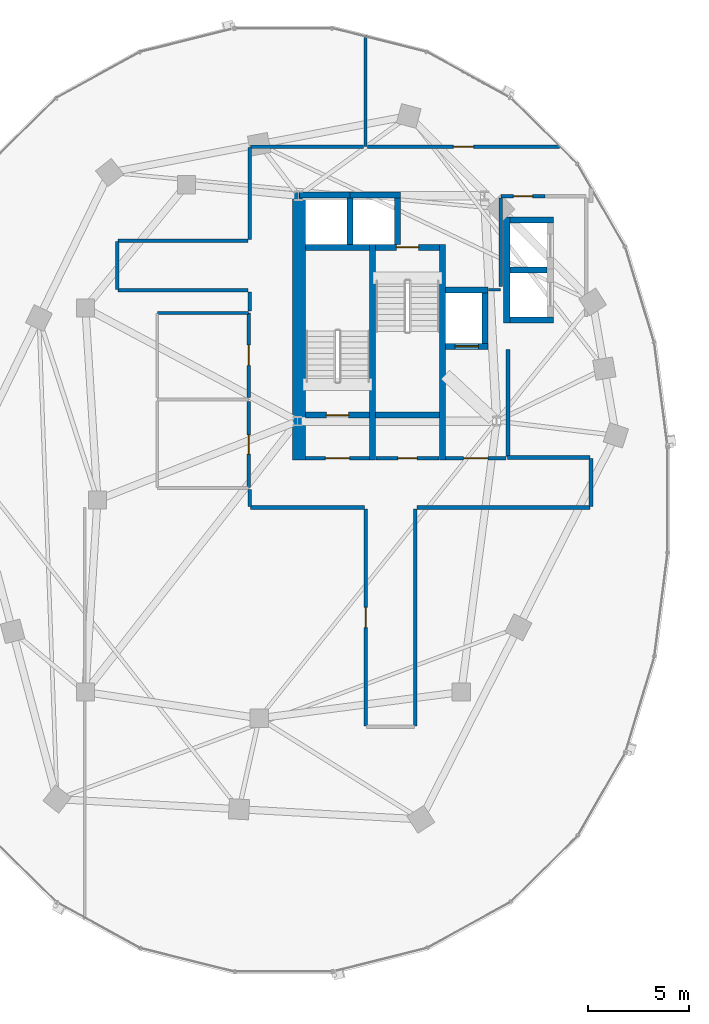
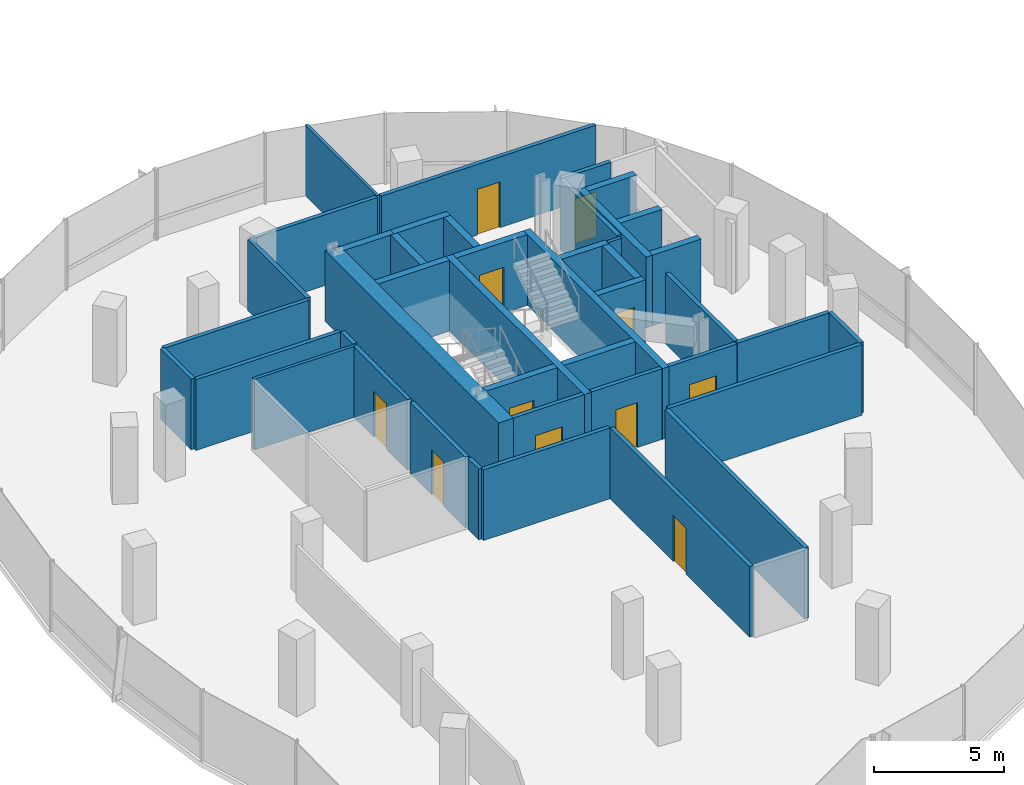
# One storey, part 12 of 21: 43 walls, 11 doors, 11 openings.
"""IFC4 building model written with IfcOpenShell, lengths in metres."""

import ifcopenshell
import ifcopenshell.guid

model = None  # the IFC model being written
_history = None  # IfcOwnerHistory: only IFC2X3 demands one
_inside = {}  # id of a spatial element -> (the spatial element, [elements in it])
_under = {}  # id of a project, library or spatial element -> (it, [spatial elements below it])
_declared = {}  # id of a project -> (the project, [libraries it declares])
_typed = {}  # id of a type object -> (the type object, [elements of that type])
_made_of = {}  # id of a material, layer set ... -> (it, [elements and type objects made of it])


def new_model(schema):
    """Start an empty IFC model of exactly this schema.

    Asked for "IFC4X3", IfcOpenShell would pick the latest addendum, in which some entities
    have other attributes; the version numbers below select the first issue.
    IFC2X3 requires an IfcOwnerHistory on every rooted entity: one is made here for all.
    """
    global model, _history
    if schema == "IFC4X3":
        model = ifcopenshell.file(schema_version=(4, 3, 0, 0))
    else:
        model = ifcopenshell.file(schema=schema)
    _inside.clear()
    _under.clear()
    _declared.clear()
    _typed.clear()
    _made_of.clear()
    _history = None
    if model.schema == "IFC2X3":
        org = make("IfcOrganization", Name="unknown")
        user = make(
            "IfcPersonAndOrganization",
            ThePerson=make("IfcPerson", FamilyName="unknown"),
            TheOrganization=org,
        )
        app = make(
            "IfcApplication",
            ApplicationDeveloper=org,
            Version="unknown",
            ApplicationFullName="unknown",
            ApplicationIdentifier="unknown",
        )
        _history = make(
            "IfcOwnerHistory",
            OwningUser=user,
            OwningApplication=app,
            ChangeAction="ADDED",
            CreationDate=0,
        )
    return model


def make(cls, **values):
    """One entity of the class cls with the attributes given. An attribute that is None is left unset."""
    return model.create_entity(
        cls, **{name: value for name, value in values.items() if value is not None}
    )


def rooted(cls, **values):
    """An entity with a GlobalId (a new one), such as an element, a storey or a relation."""
    return make(cls, GlobalId=ifcopenshell.guid.new(), OwnerHistory=_history, **values)


def si_unit(unit_type, name, prefix=None):
    """IfcSIUnit, for example si_unit("LENGTHUNIT", "METRE", prefix="MILLI")."""
    return make("IfcSIUnit", UnitType=unit_type, Prefix=prefix, Name=name)


def assignment(units):
    """IfcUnitAssignment: the units of a project."""
    return None if units is None else make("IfcUnitAssignment", Units=units)


def point(xyz):
    """IfcCartesianPoint."""
    return None if xyz is None else make("IfcCartesianPoint", Coordinates=xyz)


def direction(xyz):
    """IfcDirection."""
    return None if xyz is None else make("IfcDirection", DirectionRatios=xyz)


def frame(location, z_axis=None, x_axis=None):
    """IfcAxis2Placement3D, a coordinate frame: its origin and axes. An axis left out is left unset."""
    return make(
        "IfcAxis2Placement3D",
        Location=point(location),
        Axis=direction(z_axis),
        RefDirection=direction(x_axis),
    )


def frame_2d(location, x_axis=None):
    """IfcAxis2Placement2D, a coordinate frame in the plane: its origin and x axis."""
    return make(
        "IfcAxis2Placement2D", Location=point(location), RefDirection=direction(x_axis)
    )


def origin():
    """The frame at (0, 0, 0) with its axes left unset."""
    return frame((0.0, 0.0, 0.0))


def place(relative_to, where):
    """IfcLocalPlacement: puts the frame where relative to a parent placement (None: the world)."""
    return make(
        "IfcLocalPlacement", PlacementRelTo=relative_to, RelativePlacement=where
    )


def context(
    kind, dimensions, precision=None, world=None, true_north=None, identifier=None
):
    """IfcGeometricRepresentationContext, for example the 3D "Model" context."""
    return make(
        "IfcGeometricRepresentationContext",
        ContextIdentifier=identifier,
        ContextType=kind,
        CoordinateSpaceDimension=dimensions,
        Precision=precision,
        WorldCoordinateSystem=world,
        TrueNorth=true_north,
    )


def subcontext(parent, identifier, kind, view, scale=None):
    """IfcGeometricRepresentationSubContext, for example "Body" below "Model"."""
    return make(
        "IfcGeometricRepresentationSubContext",
        ContextIdentifier=identifier,
        ContextType=kind,
        ParentContext=parent,
        TargetScale=scale,
        TargetView=view,
    )


def project(units=None, contexts=None):
    """IfcProject with its units and contexts."""
    return rooted(
        "IfcProject",
        Name="project",
        RepresentationContexts=contexts,
        UnitsInContext=assignment(units),
    )


def spatial(cls, under=None, at=None, **own):
    """A site, building, storey or space (cls), placed at a placement, below another one or the project."""
    s = rooted(cls, ObjectPlacement=at, **own)
    if under is not None:
        _under.setdefault(under.id(), (under, []))[1].append(s)
    return s


def profile(cls, at=None, kind="AREA", **sizes):
    """A parametric profile (cls). Its sizes go by their IFC names, for example OverallWidth=200.0."""
    return make(cls, ProfileType=kind, Position=at, **sizes)


def rectangle(**sizes):
    """IfcRectangleProfileDef."""
    return profile("IfcRectangleProfileDef", **sizes)


def extrude(swept, where, along, depth):
    """IfcExtrudedAreaSolid: the profile swept, set in the frame where, extruded along a direction by depth."""
    return make(
        "IfcExtrudedAreaSolid",
        SweptArea=swept,
        Position=where,
        ExtrudedDirection=direction(along),
        Depth=depth,
    )


def shape(context_of_items, identifier, shape_type, items):
    """IfcShapeRepresentation: the items that make up one representation, for example the "Body"."""
    return make(
        "IfcShapeRepresentation",
        ContextOfItems=context_of_items,
        RepresentationIdentifier=identifier,
        RepresentationType=shape_type,
        Items=items,
    )


def material(Name=None, Category=None):
    """IfcMaterial."""
    return make("IfcMaterial", Name=Name, Category=Category)


def layer(
    of_material, thickness, ventilated=None, Name=None, Category=None, Priority=None
):
    """IfcMaterialLayer: one layer of a wall or slab, of a material (None: an air gap)."""
    return make(
        "IfcMaterialLayer",
        Material=of_material,
        LayerThickness=thickness,
        IsVentilated=ventilated,
        Name=Name,
        Category=Category,
        Priority=Priority,
    )


def layer_set(layers, Name=None):
    """IfcMaterialLayerSet."""
    return make("IfcMaterialLayerSet", MaterialLayers=layers, LayerSetName=Name)


def made_of(thing, what):
    """Note that an element or type object is made of a material, layer set ...; save() writes the relation."""
    if what is not None:
        _made_of.setdefault(what.id(), (what, []))[1].append(thing)
    return thing


def type_object(cls, material=None, **own):
    """A type object (cls), such as IfcWallType, which elements share."""
    return made_of(rooted(cls, **own), material)


def element(
    cls,
    number,
    at=None,
    inside=None,
    cuts=None,
    type_object=None,
    material=None,
    context=None,
    identifier="Body",
    shape_type=None,
    held_by="IfcProductDefinitionShape",
    body=None,
    shapes=None,
    **own,
):
    """One element of the class cls, such as IfcWall. Its Tag is "e" and its number.

    at: its placement. inside: the storey or other place that contains it. cuts: it is an
    opening in that element (IfcRelVoidsElement). A single representation is given by context,
    identifier, shape_type and body (its items); several are given by shapes. held_by: the class
    of the entity that holds the representations. save() writes the other relations.
    """
    e = rooted(cls, Tag="e%d" % number, ObjectPlacement=at, **own)
    if body is not None:
        shapes = [shape(context, identifier, shape_type, body)]
    if shapes is not None:
        e.Representation = make(held_by, Representations=shapes)
    if inside is not None:
        _inside.setdefault(inside.id(), (inside, []))[1].append(e)
    if cuts is not None:
        rooted(
            "IfcRelVoidsElement", RelatingBuildingElement=cuts, RelatedOpeningElement=e
        )
    if type_object is not None:
        _typed.setdefault(type_object.id(), (type_object, []))[1].append(e)
    return made_of(e, material)


def fill(opening, filler):
    """IfcRelFillsElement: the door or window that sits in an opening."""
    return rooted(
        "IfcRelFillsElement",
        RelatingOpeningElement=opening,
        RelatedBuildingElement=filler,
    )


def aggregate(whole, parts):
    """IfcRelAggregates: a whole, such as a stair, and the parts it consists of."""
    return rooted("IfcRelAggregates", RelatingObject=whole, RelatedObjects=parts)


def save(model, path):
    """Write the relations noted so far, then the file.

    IfcRelAggregates (storeys below a building ...), IfcRelContainedInSpatialStructure (elements
    in a storey), IfcRelDefinesByType, IfcRelAssociatesMaterial and IfcRelDeclares: one each for
    every whole, place, type object, material and project.
    """
    for whole, parts in _under.values():
        aggregate(whole, parts)
    for where, things in _inside.values():
        rooted(
            "IfcRelContainedInSpatialStructure",
            RelatedElements=things,
            RelatingStructure=where,
        )
    for kind, things in _typed.values():
        rooted("IfcRelDefinesByType", RelatedObjects=things, RelatingType=kind)
    for what, things in _made_of.values():
        rooted("IfcRelAssociatesMaterial", RelatedObjects=things, RelatingMaterial=what)
    for by, libraries in _declared.values():
        rooted("IfcRelDeclares", RelatingContext=by, RelatedDefinitions=libraries)
    model.write(path)


model = new_model("IFC4")

# Units and contexts
model_context = context("Model", 3, precision=1e-05, world=origin(), true_north=direction((0.0, 1.0)))
body_context = subcontext(model_context, "Body", "Model", "MODEL_VIEW")
ifc_project = project(units=[si_unit("LENGTHUNIT", "METRE"), si_unit("AREAUNIT", "SQUARE_METRE"), si_unit("VOLUMEUNIT", "CUBIC_METRE"), si_unit("PLANEANGLEUNIT", "RADIAN"), si_unit("MASSUNIT", "GRAM", prefix="KILO"), si_unit("THERMODYNAMICTEMPERATUREUNIT", "KELVIN"), si_unit("POWERUNIT", "WATT")], contexts=[model_context])

# Site, building, storey
site_placement = place(None, origin())
site = spatial("IfcSite", under=ifc_project, at=site_placement, CompositionType="ELEMENT")
building_placement = place(site_placement, origin())
building = spatial("IfcBuilding", under=site, at=building_placement, Name="Cundina Bronze Exchange", CompositionType="ELEMENT")
storey_placement = place(building_placement, frame((0.0, 0.0, 183.60009765625)))
storey = spatial("IfcBuildingStorey", under=building, at=storey_placement, Name="L48", CompositionType="ELEMENT", Elevation=183.60009765625)

# Wall
ifc_material_1 = material(Name="Gypsum Fireboard Partition EI120")
ifc_layer_1 = layer(ifc_material_1, 0.179931640625, Name="Gypsum Fireboard Partition EI120")
ifc_layer_set_1 = layer_set([ifc_layer_1], Name="Gypsum Fireboard Partition EI120")
wall_type_1 = type_object("IfcWallType", Name="WL-COR-180", PredefinedType="PARTITIONING", material=ifc_layer_set_1)
wall_1_placement = place(storey_placement, frame((-20.889892578125, 2.14990234375, 0.0), z_axis=(0.0, 0.0, 1.0), x_axis=(0.0, 1.0, 0.0)))
element("IfcWall", 1, at=wall_1_placement, inside=storey, type_object=wall_type_1, Name="L48 W Firefighting Lobby Side Wall", PredefinedType="PARTITIONING", context=body_context, shape_type="SweptSolid", body=[
    extrude(rectangle(XDim=5.300048828125, YDim=0.179931640625, at=frame_2d((2.64990234375, 0.0))), origin(), (0.0, 0.0, 1.0), 3.31982421875),
])

# Wall, opening, door
wall_2_placement = place(storey_placement, frame((-23.97998046875, 2.06005859375, 0.0), z_axis=(0.0, 0.0, 1.0), x_axis=(1.0, 0.0, 0.0)))
wall_2 = element("IfcWall", 2, at=wall_2_placement, inside=storey, type_object=wall_type_1, Name="L48 W Firefighting Lobby Exit Wall", PredefinedType="PARTITIONING", context=body_context, shape_type="SweptSolid", body=[
    extrude(rectangle(XDim=3.0, YDim=0.179931640625, at=frame_2d((1.5, 0.0))), origin(), (0.0, 0.0, 1.0), 3.31982421875),
])
opening_1_placement = place(wall_2_placement, frame((0.89990234375, 0.0, 0.0)))
opening_1 = element("IfcOpeningElement", 3, at=opening_1_placement, cuts=wall_2, Name="Opening DF-01", PredefinedType="OPENING", context=body_context, shape_type="SweptSolid", body=[
    extrude(rectangle(XDim=1.199951171875, YDim=2.14990234375, at=frame_2d((0.60009765625, 1.074951171875))), frame((0.0, 0.099853515625, 0.0), z_axis=(0.0, -1.0, 0.0), x_axis=(1.0, 0.0, 0.0)), (0.0, 0.0, 1.0), 0.199951171875),
])
ifc_material_2 = material(Name="Steel ASTM A36 Painted", Category="steel")
door_type_1 = type_object("IfcDoorType", Name="DR-FFL-1200", OperationType="NOTDEFINED", PredefinedType="DOOR", material=ifc_material_2)
door_1_placement = place(opening_1_placement, origin())
door_1 = element("IfcDoor", 4, at=door_1_placement, inside=storey, type_object=door_type_1, Name="L48 W Firefighting Lobby Door", OperationType="SINGLE_SWING_RIGHT", OverallHeight=2.14990234375, OverallWidth=1.199951171875, PredefinedType="DOOR", context=body_context, shape_type="SweptSolid", body=[
    extrude(rectangle(XDim=1.199951171875, YDim=2.14990234375, at=frame_2d((0.60009765625, 1.074951171875))), frame((0.0, 0.02490234375, 0.0), z_axis=(0.0, -1.0, 0.0), x_axis=(1.0, 0.0, 0.0)), (0.0, 0.0, 1.0), 0.050048828125),
])
fill(opening_1, door_1)

wall_3_placement = place(storey_placement, frame((-30.89990234375, 2.06005859375, 0.0), z_axis=(0.0, 0.0, 1.0), x_axis=(1.0, 0.0, 0.0)))
wall_3 = element("IfcWall", 5, at=wall_3_placement, inside=storey, type_object=wall_type_1, Name="L48 W Stair Vestibule Exit Wall", PredefinedType="PARTITIONING", context=body_context, shape_type="SweptSolid", body=[
    extrude(rectangle(XDim=3.159912109375, YDim=0.179931640625, at=frame_2d((1.580078125, 0.0))), origin(), (0.0, 0.0, 1.0), 3.31982421875),
])
opening_2_placement = place(wall_3_placement, frame((0.97998046875, 0.0, 0.0)))
opening_2 = element("IfcOpeningElement", 6, at=opening_2_placement, cuts=wall_3, Name="Opening DF-01", PredefinedType="OPENING", context=body_context, shape_type="SweptSolid", body=[
    extrude(rectangle(XDim=1.199951171875, YDim=2.14990234375, at=frame_2d((0.60009765625, 1.074951171875))), frame((0.0, 0.099853515625, 0.0), z_axis=(0.0, -1.0, 0.0), x_axis=(1.0, 0.0, 0.0)), (0.0, 0.0, 1.0), 0.199951171875),
])
door_2_placement = place(opening_2_placement, origin())
door_2 = element("IfcDoor", 7, at=door_2_placement, inside=storey, type_object=door_type_1, Name="L48 W Stair Vestibule Door", OperationType="SINGLE_SWING_LEFT", OverallHeight=2.14990234375, OverallWidth=1.199951171875, PredefinedType="DOOR", context=body_context, shape_type="SweptSolid", body=[
    extrude(rectangle(XDim=1.199951171875, YDim=2.14990234375, at=frame_2d((0.60009765625, 1.074951171875))), frame((0.0, 0.02490234375, 0.0), z_axis=(0.0, -1.0, 0.0), x_axis=(1.0, 0.0, 0.0)), (0.0, 0.0, 1.0), 0.050048828125),
])
fill(opening_2, door_2)

wall_4_placement = place(storey_placement, frame((-21.22998046875, 15.030029296875, 0.0), z_axis=(0.0, 0.0, 1.0), x_axis=(1.0, 0.0, 0.0)))
wall_4 = element("IfcWall", 8, at=wall_4_placement, inside=storey, type_object=wall_type_1, Name="L48 Interior Partition 002", PredefinedType="PARTITIONING", context=body_context, shape_type="SweptSolid", body=[
    extrude(rectangle(XDim=2.159912109375, YDim=0.179931640625, at=frame_2d((1.080078125, 0.0))), origin(), (0.0, 0.0, 1.0), 3.31982421875),
])
opening_3_placement = place(wall_4_placement, frame((0.60498046875, 0.0, 0.0)))
opening_3 = element("IfcOpeningElement", 9, at=opening_3_placement, cuts=wall_4, Name="Opening DW-01", PredefinedType="OPENING", context=body_context, shape_type="SweptSolid", body=[
    extrude(rectangle(XDim=0.949951171875, YDim=2.10009765625, at=frame_2d((0.47509765625, 1.050048828125))), frame((0.0, 0.099853515625, 0.0), z_axis=(0.0, -1.0, 0.0), x_axis=(1.0, 0.0, 0.0)), (0.0, 0.0, 1.0), 0.199951171875),
])
ifc_material_3 = material(Name="Solid Andean Oak Timber Grade A", Category="wood")
door_type_2 = type_object("IfcDoorType", Name="DR-WC-950", OperationType="NOTDEFINED", PredefinedType="DOOR", material=ifc_material_3)
door_3_placement = place(opening_3_placement, origin())
door_3 = element("IfcDoor", 10, at=door_3_placement, inside=storey, type_object=door_type_2, Name="L48 Interior Door 002", OperationType="SINGLE_SWING_LEFT", OverallHeight=2.10009765625, OverallWidth=0.949951171875, PredefinedType="DOOR", context=body_context, shape_type="SweptSolid", body=[
    extrude(rectangle(XDim=0.949951171875, YDim=2.10009765625, at=frame_2d((0.47509765625, 1.050048828125))), frame((0.0, 0.02490234375, 0.0), z_axis=(0.0, -1.0, 0.0), x_axis=(1.0, 0.0, 0.0)), (0.0, 0.0, 1.0), 0.050048828125),
])
fill(opening_3, door_3)

# Wall
wall_5_placement = place(storey_placement, frame((-21.25, 10.570068359375, 0.0), z_axis=(0.0, 0.0, 1.0), x_axis=(0.0, 1.0, 0.0)))
element("IfcWall", 11, at=wall_5_placement, inside=storey, type_object=wall_type_1, Name="L48 Interior Partition 005", PredefinedType="PARTITIONING", context=body_context, shape_type="SweptSolid", body=[
    extrude(rectangle(XDim=4.35986328125, YDim=0.179931640625, at=frame_2d((2.179931640625, 0.0))), origin(), (0.0, 0.0, 1.0), 3.31982421875),
])

# Wall, opening, door
wall_6_placement = place(storey_placement, frame((-27.419921875, 2.070068359375, 0.0), z_axis=(0.0, 0.0, 1.0), x_axis=(1.0, 0.0, 0.0)))
wall_6 = element("IfcWall", 12, at=wall_6_placement, inside=storey, type_object=wall_type_1, Name="L48 Interior Partition 006", PredefinedType="PARTITIONING", context=body_context, shape_type="SweptSolid", body=[
    extrude(rectangle(XDim=3.119873046875, YDim=0.179931640625, at=frame_2d((1.56005859375, 0.0))), origin(), (0.0, 0.0, 1.0), 3.31982421875),
])
opening_4_placement = place(wall_6_placement, frame((1.0849609375, 0.0, 0.0)))
opening_4 = element("IfcOpeningElement", 13, at=opening_4_placement, cuts=wall_6, Name="Opening DW-01", PredefinedType="OPENING", context=body_context, shape_type="SweptSolid", body=[
    extrude(rectangle(XDim=0.949951171875, YDim=2.10009765625, at=frame_2d((0.47509765625, 1.050048828125))), frame((0.0, 0.099853515625, 0.0), z_axis=(0.0, -1.0, 0.0), x_axis=(1.0, 0.0, 0.0)), (0.0, 0.0, 1.0), 0.199951171875),
])
door_4_placement = place(opening_4_placement, origin())
door_4 = element("IfcDoor", 14, at=door_4_placement, inside=storey, type_object=door_type_2, Name="L48 Interior Door 006", OperationType="SINGLE_SWING_LEFT", OverallHeight=2.10009765625, OverallWidth=0.949951171875, PredefinedType="DOOR", context=body_context, shape_type="SweptSolid", body=[
    extrude(rectangle(XDim=0.949951171875, YDim=2.10009765625, at=frame_2d((0.47509765625, 1.050048828125))), frame((0.0, 0.02490234375, 0.0), z_axis=(0.0, -1.0, 0.0), x_axis=(1.0, 0.0, 0.0)), (0.0, 0.0, 1.0), 0.050048828125),
])
fill(opening_4, door_4)

wall_7_placement = place(storey_placement, frame((-33.719970703125, 0.6201171875, 0.0), z_axis=(0.0, 0.0, 1.0), x_axis=(0.0, 1.0, 0.0)))
wall_7 = element("IfcWall", 15, at=wall_7_placement, inside=storey, type_object=wall_type_1, Name="L48 Interior Partition 012", PredefinedType="PARTITIONING", context=body_context, shape_type="SweptSolid", body=[
    extrude(rectangle(XDim=4.259765625, YDim=0.179931640625, at=frame_2d((2.1298828125, 0.0))), origin(), (0.0, 0.0, 1.0), 3.31982421875),
])
opening_5_placement = place(wall_7_placement, frame((1.655029296875, 0.0, 0.0)))
opening_5 = element("IfcOpeningElement", 16, at=opening_5_placement, cuts=wall_7, Name="Opening DW-01", PredefinedType="OPENING", context=body_context, shape_type="SweptSolid", body=[
    extrude(rectangle(XDim=0.949951171875, YDim=2.10009765625, at=frame_2d((0.47509765625, 1.050048828125))), frame((0.0, 0.099853515625, 0.0), z_axis=(0.0, -1.0, 0.0), x_axis=(1.0, 0.0, 0.0)), (0.0, 0.0, 1.0), 0.199951171875),
])
door_5_placement = place(opening_5_placement, origin())
door_5 = element("IfcDoor", 17, at=door_5_placement, inside=storey, type_object=door_type_2, Name="L48 Interior Door 012", OperationType="SINGLE_SWING_LEFT", OverallHeight=2.10009765625, OverallWidth=0.949951171875, PredefinedType="DOOR", context=body_context, shape_type="SweptSolid", body=[
    extrude(rectangle(XDim=0.949951171875, YDim=2.10009765625, at=frame_2d((0.47509765625, 1.050048828125))), frame((0.0, 0.02490234375, 0.0), z_axis=(0.0, -1.0, 0.0), x_axis=(1.0, 0.0, 0.0)), (0.0, 0.0, 1.0), 0.050048828125),
])
fill(opening_5, door_5)

wall_8_placement = place(storey_placement, frame((-33.719970703125, 5.080078125, 0.0), z_axis=(0.0, 0.0, 1.0), x_axis=(0.0, 1.0, 0.0)))
wall_8 = element("IfcWall", 18, at=wall_8_placement, inside=storey, type_object=wall_type_1, Name="L48 Interior Partition 013", PredefinedType="PARTITIONING", context=body_context, shape_type="SweptSolid", body=[
    extrude(rectangle(XDim=4.159912109375, YDim=0.179931640625, at=frame_2d((2.080078125, 0.0))), origin(), (0.0, 0.0, 1.0), 3.31982421875),
])
opening_6_placement = place(wall_8_placement, frame((1.580078125, 0.0, 0.0)))
opening_6 = element("IfcOpeningElement", 19, at=opening_6_placement, cuts=wall_8, Name="Opening DO-01", PredefinedType="OPENING", context=body_context, shape_type="SweptSolid", body=[
    extrude(rectangle(XDim=1.0, YDim=2.14990234375, at=frame_2d((0.5, 1.074951171875))), frame((0.0, 0.099853515625, 0.0), z_axis=(0.0, -1.0, 0.0), x_axis=(1.0, 0.0, 0.0)), (0.0, 0.0, 1.0), 0.199951171875),
])
door_type_3 = type_object("IfcDoorType", Name="DR-OFF-1000", OperationType="NOTDEFINED", PredefinedType="DOOR", material=ifc_material_3)
door_6_placement = place(opening_6_placement, origin())
door_6 = element("IfcDoor", 20, at=door_6_placement, inside=storey, type_object=door_type_3, Name="L48 Interior Door 013", OperationType="SINGLE_SWING_LEFT", OverallHeight=2.14990234375, OverallWidth=1.0, PredefinedType="DOOR", context=body_context, shape_type="SweptSolid", body=[
    extrude(rectangle(XDim=1.0, YDim=2.14990234375, at=frame_2d((0.5, 1.074951171875))), frame((0.0, 0.02490234375, 0.0), z_axis=(0.0, -1.0, 0.0), x_axis=(1.0, 0.0, 0.0)), (0.0, 0.0, 1.0), 0.050048828125),
])
fill(opening_6, door_6)

wall_9_placement = place(storey_placement, frame((-27.919921875, -0.449951171875, 0.0), z_axis=(0.0, 0.0, 1.0), x_axis=(0.0, -1.0, 0.0)))
wall_9 = element("IfcWall", 21, at=wall_9_placement, inside=storey, type_object=wall_type_1, Name="L48 Interior Partition 016", PredefinedType="PARTITIONING", context=body_context, shape_type="SweptSolid", body=[
    extrude(rectangle(XDim=10.728515625, YDim=0.179931640625, at=frame_2d((5.3642578125, 0.0))), origin(), (0.0, 0.0, 1.0), 3.31982421875),
])
opening_7_placement = place(wall_9_placement, frame((4.8642578125, 0.0, 0.0)))
opening_7 = element("IfcOpeningElement", 22, at=opening_7_placement, cuts=wall_9, Name="Opening DO-01", PredefinedType="OPENING", context=body_context, shape_type="SweptSolid", body=[
    extrude(rectangle(XDim=1.0, YDim=2.14990234375, at=frame_2d((0.5, 1.074951171875))), frame((0.0, 0.099853515625, 0.0), z_axis=(0.0, -1.0, 0.0), x_axis=(1.0, 0.0, 0.0)), (0.0, 0.0, 1.0), 0.199951171875),
])
door_7_placement = place(opening_7_placement, origin())
door_7 = element("IfcDoor", 23, at=door_7_placement, inside=storey, type_object=door_type_3, Name="L48 Interior Door 016", OperationType="SINGLE_SWING_LEFT", OverallHeight=2.14990234375, OverallWidth=1.0, PredefinedType="DOOR", context=body_context, shape_type="SweptSolid", body=[
    extrude(rectangle(XDim=1.0, YDim=2.14990234375, at=frame_2d((0.5, 1.074951171875))), frame((0.0, 0.02490234375, 0.0), z_axis=(0.0, -1.0, 0.0), x_axis=(1.0, 0.0, 0.0)), (0.0, 0.0, 1.0), 0.050048828125),
])
fill(opening_7, door_7)

# Walls
wall_10_placement = place(storey_placement, frame((-25.47998046875, -11.178466796875, 0.0), z_axis=(0.0, 0.0, 1.0), x_axis=(0.0, 1.0, 0.0)))
element("IfcWall", 24, at=wall_10_placement, inside=storey, type_object=wall_type_1, Name="L48 Interior Partition 017", PredefinedType="PARTITIONING", context=body_context, shape_type="SweptSolid", body=[
    extrude(rectangle(XDim=10.728515625, YDim=0.179931640625, at=frame_2d((5.3642578125, 0.0))), origin(), (0.0, 0.0, 1.0), 3.31982421875),
])
wall_11_placement = place(storey_placement, frame((-25.39990234375, -0.3701171875, 0.0), z_axis=(0.0, 0.0, 1.0), x_axis=(1.0, 0.0, 0.0)))
element("IfcWall", 25, at=wall_11_placement, inside=storey, type_object=wall_type_1, Name="L48 Interior Partition 018", PredefinedType="PARTITIONING", context=body_context, shape_type="SweptSolid", body=[
    extrude(rectangle(XDim=8.578369140625, YDim=0.179931640625, at=frame_2d((4.2890625, 0.0))), origin(), (0.0, 0.0, 1.0), 3.31982421875),
])
for number, where, z_axis, x_axis, name in (
    (26, (-33.75, 12.820068359375, 0.0), (0.0, 0.0, 1.0), (-1.0, 0.0, 0.0), "L48 Interior Partition 019"),
    (27, (-40.178466796875, 10.3798828125, 0.0), (0.0, 0.0, 1.0), (1.0, 0.0, 0.0), "L48 Interior Partition 020"),
):
    element("IfcWall", number, at=place(storey_placement, frame(where, z_axis=z_axis, x_axis=x_axis)), inside=storey, type_object=wall_type_1, Name=name, PredefinedType="PARTITIONING", context=body_context, shape_type="SweptSolid", body=[
        extrude(rectangle(XDim=6.428466796875, YDim=0.179931640625, at=frame_2d((3.21435546875, 0.0))), origin(), (0.0, 0.0, 1.0), 3.31982421875),
    ])
wall_12_placement = place(storey_placement, frame((-33.62841796875, -0.3701171875, 0.0), z_axis=(0.0, 0.0, 1.0), x_axis=(1.0, 0.0, 0.0)))
element("IfcWall", 28, at=wall_12_placement, inside=storey, type_object=wall_type_1, Name="L48 Interior Partition 021", PredefinedType="PARTITIONING", context=body_context, shape_type="SweptSolid", body=[
    extrude(rectangle(XDim=5.62841796875, YDim=0.179931640625, at=frame_2d((2.814208984375, 0.0))), origin(), (0.0, 0.0, 1.0), 3.31982421875),
])
wall_13_placement = place(storey_placement, frame((-28.030029296875, 17.469970703125, 0.0), z_axis=(0.0, 0.0, 1.0), x_axis=(-1.0, 0.0, 0.0)))
element("IfcWall", 29, at=wall_13_placement, inside=storey, type_object=wall_type_1, Name="L48 Interior Partition 022", PredefinedType="PARTITIONING", context=body_context, shape_type="SweptSolid", body=[
    extrude(rectangle(XDim=5.598388671875, YDim=0.179931640625, at=frame_2d((2.79931640625, 0.0))), origin(), (0.0, 0.0, 1.0), 3.31982421875),
])
wall_14_placement = place(storey_placement, frame((-33.669921875, 17.428466796875, 0.0), z_axis=(0.0, 0.0, 1.0), x_axis=(0.0, -1.0, 0.0)))
element("IfcWall", 30, at=wall_14_placement, inside=storey, type_object=wall_type_1, Name="L48 Interior Partition 023", PredefinedType="PARTITIONING", context=body_context, shape_type="SweptSolid", body=[
    extrude(rectangle(XDim=4.528564453125, YDim=0.179931640625, at=frame_2d((2.26416015625, 0.0))), origin(), (0.0, 0.0, 1.0), 3.31982421875),
])
wall_15_placement = place(storey_placement, frame((-16.821533203125, 2.10009765625, 0.0), z_axis=(0.0, 0.0, 1.0), x_axis=(-1.0, 0.0, 0.0)))
element("IfcWall", 31, at=wall_15_placement, inside=storey, type_object=wall_type_1, Name="L48 Interior Partition 024", PredefinedType="PARTITIONING", context=body_context, shape_type="SweptSolid", body=[
    extrude(rectangle(XDim=4.098388671875, YDim=0.179931640625, at=frame_2d((2.04931640625, 0.0))), origin(), (0.0, 0.0, 1.0), 3.31982421875),
])
wall_16_placement = place(storey_placement, frame((-16.780029296875, -0.32861328125, 0.0), z_axis=(0.0, 0.0, 1.0), x_axis=(0.0, 1.0, 0.0)))
element("IfcWall", 32, at=wall_16_placement, inside=storey, type_object=wall_type_1, Name="L48 Interior Partition 025", PredefinedType="PARTITIONING", context=body_context, shape_type="SweptSolid", body=[
    extrude(rectangle(XDim=2.38720703125, YDim=0.179931640625, at=frame_2d((1.193603515625, 0.0))), origin(), (0.0, 0.0, 1.0), 3.31982421875),
])
wall_17_placement = place(storey_placement, frame((-40.219970703125, 12.778564453125, 0.0), z_axis=(0.0, 0.0, 1.0), x_axis=(0.0, -1.0, 0.0)))
element("IfcWall", 33, at=wall_17_placement, inside=storey, type_object=wall_type_1, Name="L48 Interior Partition 027", PredefinedType="PARTITIONING", context=body_context, shape_type="SweptSolid", body=[
    extrude(rectangle(XDim=2.357177734375, YDim=0.179931640625, at=frame_2d((1.1787109375, 0.0))), origin(), (0.0, 0.0, 1.0), 3.31982421875),
])
wall_18_placement = place(storey_placement, frame((-33.669921875, 10.300048828125, 0.0), z_axis=(0.0, 0.0, 1.0), x_axis=(0.0, -1.0, 0.0)))
element("IfcWall", 34, at=wall_18_placement, inside=storey, type_object=wall_type_1, Name="L48 Interior Partition 028", PredefinedType="PARTITIONING", context=body_context, shape_type="SweptSolid", body=[
    extrude(rectangle(XDim=0.94873046875, YDim=0.179931640625, at=frame_2d((0.474365234375, 0.0))), origin(), (0.0, 0.0, 1.0), 3.31982421875),
])
wall_19_placement = place(storey_placement, frame((-33.669921875, 0.508544921875, 0.0), z_axis=(0.0, 0.0, 1.0), x_axis=(0.0, -1.0, 0.0)))
element("IfcWall", 35, at=wall_19_placement, inside=storey, type_object=wall_type_1, Name="L48 Interior Partition 029", PredefinedType="PARTITIONING", context=body_context, shape_type="SweptSolid", body=[
    extrude(rectangle(XDim=0.837158203125, YDim=0.179931640625, at=frame_2d((0.41845703125, 0.0))), origin(), (0.0, 0.0, 1.0), 3.31982421875),
])

# Wall, opening, door
wall_20_placement = place(storey_placement, frame((-18.341796875, 17.469970703125, 0.0), z_axis=(0.0, 0.0, 1.0), x_axis=(-1.0, 0.0, 0.0)))
wall_20 = element("IfcWall", 36, at=wall_20_placement, inside=storey, type_object=wall_type_1, Name="L48 Interior Partition 031", PredefinedType="PARTITIONING", context=body_context, shape_type="SweptSolid", body=[
    extrude(rectangle(XDim=9.50830078125, YDim=0.179931640625, at=frame_2d((4.754150390625, 0.0))), origin(), (0.0, 0.0, 1.0), 3.31982421875),
])
opening_8_placement = place(wall_20_placement, frame((4.254150390625, 0.0, 0.0)))
opening_8 = element("IfcOpeningElement", 37, at=opening_8_placement, cuts=wall_20, Name="Opening DO-01", PredefinedType="OPENING", context=body_context, shape_type="SweptSolid", body=[
    extrude(rectangle(XDim=1.0, YDim=2.14990234375, at=frame_2d((0.5, 1.074951171875))), frame((0.0, 0.099853515625, 0.0), z_axis=(0.0, -1.0, 0.0), x_axis=(1.0, 0.0, 0.0)), (0.0, 0.0, 1.0), 0.199951171875),
])
door_8_placement = place(opening_8_placement, origin())
door_8 = element("IfcDoor", 38, at=door_8_placement, inside=storey, type_object=door_type_3, Name="L48 Interior Door 031", OperationType="SINGLE_SWING_LEFT", OverallHeight=2.14990234375, OverallWidth=1.0, PredefinedType="DOOR", context=body_context, shape_type="SweptSolid", body=[
    extrude(rectangle(XDim=1.0, YDim=2.14990234375, at=frame_2d((0.5, 1.074951171875))), frame((0.0, 0.02490234375, 0.0), z_axis=(0.0, -1.0, 0.0), x_axis=(1.0, 0.0, 0.0)), (0.0, 0.0, 1.0), 0.050048828125),
])
fill(opening_8, door_8)

# Walls
ifc_material_4 = material(Name="Concrete C50/60", Category="concrete")
ifc_layer_2 = layer(ifc_material_4, 0.64990234375, Name="Concrete C50/60", Category="concrete")
ifc_layer_set_2 = layer_set([ifc_layer_2], Name="Concrete C50/60")
wall_type_2 = type_object("IfcWallType", Name="WL-CORE-650", PredefinedType="SHEAR", material=ifc_layer_set_2)
wall_21_placement = place(storey_placement, frame((-31.22509765625, 1.969970703125, 0.0), z_axis=(0.0, 0.0, 1.0), x_axis=(0.0, 1.0, 0.0)))
element("IfcWall", 39, at=wall_21_placement, inside=storey, type_object=wall_type_2, Name="L48 W Primary Core Shear Spine Wall", PredefinedType="SHEAR", context=body_context, shape_type="SweptSolid", body=[
    extrude(rectangle(XDim=13.330078125, YDim=0.64990234375, at=frame_2d((6.6650390625, 0.0))), origin(), (0.0, 0.0, 1.0), 3.31982421875),
])
ifc_material_5 = material(Name="Gypsum Acoustic Partition EI60")
ifc_layer_3 = layer(ifc_material_5, 0.125, Name="Gypsum Acoustic Partition EI60")
ifc_layer_set_3 = layer_set([ifc_layer_3], Name="Gypsum Acoustic Partition EI60")
wall_type_3 = type_object("IfcWallType", Name="WL-OFF-125", PredefinedType="PARTITIONING", material=ifc_layer_set_3)
wall_22_placement = place(storey_placement, frame((-27.93994140625, 17.5, 0.0), z_axis=(0.0, 0.0, 1.0), x_axis=(0.0, 1.0, 0.0)))
element("IfcWall", 40, at=wall_22_placement, inside=storey, type_object=wall_type_3, Name="L48 Interior Partition 015", PredefinedType="PARTITIONING", context=body_context, shape_type="SweptSolid", body=[
    extrude(rectangle(XDim=5.49658203125, YDim=0.125, at=frame_2d((2.748291015625, 0.0))), origin(), (0.0, 0.0, 1.0), 3.31982421875),
])
ifc_layer_4 = layer(ifc_material_4, 0.300048828125, Name="Concrete C50/60", Category="concrete")
ifc_layer_set_4 = layer_set([ifc_layer_4], Name="Concrete C50/60")
wall_type_4 = type_object("IfcWallType", Name="WL-SHFT-300", PredefinedType="SHEAR", material=ifc_layer_set_4)
for number, where, z_axis, x_axis, name in (
    (41, (-27.590087890625, 1.969970703125, 0.0), (0.0, 0.0, 1.0), (0.0, 1.0, 0.0), "L48 W Stair Shaft Dividing Shear Wall"),
    (42, (-24.1298828125, 1.969970703125, 0.0), (0.0, 0.0, 1.0), (0.0, 1.0, 0.0), "L48 W Stair 2 East Shear Wall"),
):
    element("IfcWall", number, at=place(storey_placement, frame(where, z_axis=z_axis, x_axis=x_axis)), inside=storey, type_object=wall_type_4, Name=name, PredefinedType="SHEAR", context=body_context, shape_type="SweptSolid", body=[
        extrude(rectangle(XDim=10.679931640625, YDim=0.300048828125, at=frame_2d((5.33984375, 0.0))), origin(), (0.0, 0.0, 1.0), 3.31982421875),
    ])

# Wall, opening, door
wall_23_placement = place(storey_placement, frame((-30.89990234375, 4.199951171875, 0.0), z_axis=(0.0, 0.0, 1.0), x_axis=(1.0, 0.0, 0.0)))
wall_23 = element("IfcWall", 43, at=wall_23_placement, inside=storey, type_object=wall_type_4, Name="L48 Stair W1 Landing Wall", PredefinedType="SHEAR", context=body_context, shape_type="SweptSolid", body=[
    extrude(rectangle(XDim=3.159912109375, YDim=0.300048828125, at=frame_2d((1.580078125, 0.0))), origin(), (0.0, 0.0, 1.0), 3.31982421875),
])
opening_9_placement = place(wall_23_placement, frame((1.030029296875, 0.0, 0.0)))
opening_9 = element("IfcOpeningElement", 44, at=opening_9_placement, cuts=wall_23, Name="Opening DS-01", PredefinedType="OPENING", context=body_context, shape_type="SweptSolid", body=[
    extrude(rectangle(XDim=1.10009765625, YDim=2.14990234375, at=frame_2d((0.550048828125, 1.074951171875))), frame((0.0, 0.159912109375, 0.0), z_axis=(0.0, -1.0, 0.0), x_axis=(1.0, 0.0, 0.0)), (0.0, 0.0, 1.0), 0.320068359375),
])
door_type_4 = type_object("IfcDoorType", Name="DR-STR-1100", OperationType="NOTDEFINED", PredefinedType="DOOR", material=ifc_material_2)
door_9_placement = place(opening_9_placement, origin())
door_9 = element("IfcDoor", 45, at=door_9_placement, inside=storey, type_object=door_type_4, Name="L48 Smokeproof Stair W1 Door", OperationType="SINGLE_SWING_RIGHT", OverallHeight=2.14990234375, OverallWidth=1.10009765625, PredefinedType="DOOR", context=body_context, shape_type="SweptSolid", body=[
    extrude(rectangle(XDim=1.10009765625, YDim=2.14990234375, at=frame_2d((0.550048828125, 1.074951171875))), frame((0.0, 0.02490234375, 0.0), z_axis=(0.0, -1.0, 0.0), x_axis=(1.0, 0.0, 0.0)), (0.0, 0.0, 1.0), 0.050048828125),
])
fill(opening_9, door_9)

# Wall
wall_24_placement = place(storey_placement, frame((-30.89990234375, 12.5, 0.0), z_axis=(0.0, 0.0, 1.0), x_axis=(1.0, 0.0, 0.0)))
element("IfcWall", 46, at=wall_24_placement, inside=storey, type_object=wall_type_4, Name="L48 Stair W1 Far Shaft Wall", PredefinedType="SHEAR", context=body_context, shape_type="SweptSolid", body=[
    extrude(rectangle(XDim=3.159912109375, YDim=0.300048828125, at=frame_2d((1.580078125, 0.0))), origin(), (0.0, 0.0, 1.0), 3.31982421875),
])

# Wall, opening, door
wall_25_placement = place(storey_placement, frame((-27.43994140625, 12.5, 0.0), z_axis=(0.0, 0.0, 1.0), x_axis=(1.0, 0.0, 0.0)))
wall_25 = element("IfcWall", 47, at=wall_25_placement, inside=storey, type_object=wall_type_4, Name="L48 Stair W2 Landing Wall", PredefinedType="SHEAR", context=body_context, shape_type="SweptSolid", body=[
    extrude(rectangle(XDim=3.159912109375, YDim=0.300048828125, at=frame_2d((1.580078125, 0.0))), origin(), (0.0, 0.0, 1.0), 3.31982421875),
])
opening_10_placement = place(wall_25_placement, frame((1.030029296875, 0.0, 0.0)))
opening_10 = element("IfcOpeningElement", 48, at=opening_10_placement, cuts=wall_25, Name="Opening DS-01", PredefinedType="OPENING", context=body_context, shape_type="SweptSolid", body=[
    extrude(rectangle(XDim=1.10009765625, YDim=2.14990234375, at=frame_2d((0.550048828125, 1.074951171875))), frame((0.0, 0.159912109375, 0.0), z_axis=(0.0, -1.0, 0.0), x_axis=(1.0, 0.0, 0.0)), (0.0, 0.0, 1.0), 0.320068359375),
])
door_10_placement = place(opening_10_placement, origin())
door_10 = element("IfcDoor", 49, at=door_10_placement, inside=storey, type_object=door_type_4, Name="L48 Smokeproof Stair W2 Door", OperationType="SINGLE_SWING_LEFT", OverallHeight=2.14990234375, OverallWidth=1.10009765625, PredefinedType="DOOR", context=body_context, shape_type="SweptSolid", body=[
    extrude(rectangle(XDim=1.10009765625, YDim=2.14990234375, at=frame_2d((0.550048828125, 1.074951171875))), frame((0.0, 0.02490234375, 0.0), z_axis=(0.0, -1.0, 0.0), x_axis=(1.0, 0.0, 0.0)), (0.0, 0.0, 1.0), 0.050048828125),
])
fill(opening_10, door_10)

# Wall
wall_26_placement = place(storey_placement, frame((-27.43994140625, 4.199951171875, 0.0), z_axis=(0.0, 0.0, 1.0), x_axis=(1.0, 0.0, 0.0)))
element("IfcWall", 50, at=wall_26_placement, inside=storey, type_object=wall_type_4, Name="L48 Stair W2 Far Shaft Wall", PredefinedType="SHEAR", context=body_context, shape_type="SweptSolid", body=[
    extrude(rectangle(XDim=3.159912109375, YDim=0.300048828125, at=frame_2d((1.580078125, 0.0))), origin(), (0.0, 0.0, 1.0), 3.31982421875),
])

# Wall, opening, door
wall_27_placement = place(storey_placement, frame((-23.97998046875, 7.60009765625, 0.0), z_axis=(0.0, 0.0, 1.0), x_axis=(1.0, 0.0, 0.0)))
wall_27 = element("IfcWall", 51, at=wall_27_placement, inside=storey, type_object=wall_type_4, Name="L48 FFL-W Hoistway Front Wall", PredefinedType="SHEAR", context=body_context, shape_type="SweptSolid", body=[
    extrude(rectangle(XDim=2.10009765625, YDim=0.300048828125, at=frame_2d((1.050048828125, 0.0))), origin(), (0.0, 0.0, 1.0), 3.31982421875),
])
opening_11_placement = place(wall_27_placement, frame((0.47509765625, 0.0, 0.0)))
opening_11 = element("IfcOpeningElement", 52, at=opening_11_placement, cuts=wall_27, Name="Opening LD-01", PredefinedType="OPENING", context=body_context, shape_type="SweptSolid", body=[
    extrude(rectangle(XDim=1.14990234375, YDim=2.199951171875, at=frame_2d((0.574951171875, 1.10009765625))), frame((0.0, 0.159912109375, 0.0), z_axis=(0.0, -1.0, 0.0), x_axis=(1.0, 0.0, 0.0)), (0.0, 0.0, 1.0), 0.320068359375),
])
door_type_5 = type_object("IfcDoorType", Name="DR-LND-1150", OperationType="NOTDEFINED", PredefinedType="TRAPDOOR", material=ifc_material_2)
door_11_placement = place(opening_11_placement, origin())
door_11 = element("IfcDoor", 53, at=door_11_placement, inside=storey, type_object=door_type_5, Name="L48 FFL-W Sliding Landing Door", OperationType="SLIDING_TO_LEFT", OverallHeight=2.199951171875, OverallWidth=1.14990234375, PredefinedType="TRAPDOOR", context=body_context, shape_type="SweptSolid", body=[
    extrude(rectangle(XDim=1.14990234375, YDim=2.199951171875, at=frame_2d((0.574951171875, 1.10009765625))), frame((0.0, 0.02490234375, 0.0), z_axis=(0.0, -1.0, 0.0), x_axis=(1.0, 0.0, 0.0)), (0.0, 0.0, 1.0), 0.050048828125),
])
fill(opening_11, door_11)

# Walls
wall_28_placement = place(storey_placement, frame((-23.97998046875, 10.39990234375, 0.0), z_axis=(0.0, 0.0, 1.0), x_axis=(1.0, 0.0, 0.0)))
element("IfcWall", 54, at=wall_28_placement, inside=storey, type_object=wall_type_4, Name="L48 FFL-W Hoistway Back Wall", PredefinedType="SHEAR", context=body_context, shape_type="SweptSolid", body=[
    extrude(rectangle(XDim=2.10009765625, YDim=0.300048828125, at=frame_2d((1.050048828125, 0.0))), origin(), (0.0, 0.0, 1.0), 3.31982421875),
])
for number, where, z_axis, x_axis, name in (
    (55, (-22.030029296875, 7.75, 0.0), (0.0, 0.0, 1.0), (0.0, 1.0, 0.0), "L48 FFL-W Hoistway Side Wall"),
    (56, (-31.199951171875, 15.10009765625, 0.0), (0.0, 0.0, 1.0), (1.0, 0.0, 0.0), "L48 PH-W1 Hoistway Front Wall"),
):
    element("IfcWall", number, at=place(storey_placement, frame(where, z_axis=z_axis, x_axis=x_axis)), inside=storey, type_object=wall_type_4, Name=name, PredefinedType="SHEAR", context=body_context, shape_type="SweptSolid", body=[
        extrude(rectangle(XDim=2.5, YDim=0.300048828125, at=frame_2d((1.25, 0.0))), origin(), (0.0, 0.0, 1.0), 3.31982421875),
    ])
wall_29_placement = place(storey_placement, frame((-28.699951171875, 12.64990234375, 0.0), z_axis=(0.0, 0.0, 1.0), x_axis=(0.0, 1.0, 0.0)))
element("IfcWall", 57, at=wall_29_placement, inside=storey, type_object=wall_type_4, Name="L48 PH-W1 Hoistway Divider Wall", PredefinedType="SHEAR", context=body_context, shape_type="SweptSolid", body=[
    extrude(rectangle(XDim=2.300048828125, YDim=0.300048828125, at=frame_2d((1.14990234375, 0.0))), origin(), (0.0, 0.0, 1.0), 3.31982421875),
])
wall_30_placement = place(storey_placement, frame((-28.699951171875, 15.10009765625, 0.0), z_axis=(0.0, 0.0, 1.0), x_axis=(1.0, 0.0, 0.0)))
element("IfcWall", 58, at=wall_30_placement, inside=storey, type_object=wall_type_4, Name="L48 PH-W2 Hoistway Front Wall", PredefinedType="SHEAR", context=body_context, shape_type="SweptSolid", body=[
    extrude(rectangle(XDim=2.5, YDim=0.300048828125, at=frame_2d((1.25, 0.0))), origin(), (0.0, 0.0, 1.0), 3.31982421875),
])
wall_31_placement = place(storey_placement, frame((-26.35009765625, 12.64990234375, 0.0), z_axis=(0.0, 0.0, 1.0), x_axis=(0.0, 1.0, 0.0)))
element("IfcWall", 59, at=wall_31_placement, inside=storey, type_object=wall_type_4, Name="L48 PH-W2 Hoistway Divider Wall", PredefinedType="SHEAR", context=body_context, shape_type="SweptSolid", body=[
    extrude(rectangle(XDim=2.300048828125, YDim=0.300048828125, at=frame_2d((1.14990234375, 0.0))), origin(), (0.0, 0.0, 1.0), 3.31982421875),
])
wall_32_placement = place(storey_placement, frame((-20.949951171875, 8.75, 0.0), z_axis=(0.0, 0.0, 1.0), x_axis=(0.0, 1.0, 0.0)))
element("IfcWall", 60, at=wall_32_placement, inside=storey, type_object=wall_type_4, Name="L48 W Passenger Bank Hoistway Back Wall", PredefinedType="SHEAR", context=body_context, shape_type="SweptSolid", body=[
    extrude(rectangle(XDim=5.25, YDim=0.300048828125, at=frame_2d((2.625, 0.0))), origin(), (0.0, 0.0, 1.0), 3.31982421875),
])
for number, where, z_axis, x_axis, name in (
    (61, (-20.800048828125, 8.89990234375, 0.0), (0.0, 0.0, 1.0), (1.0, 0.0, 0.0), "L48 W Passenger Bank South Cap Wall"),
    (62, (-20.800048828125, 13.85009765625, 0.0), (0.0, 0.0, 1.0), (1.0, 0.0, 0.0), "L48 W Passenger Bank North Cap Wall"),
):
    element("IfcWall", number, at=place(storey_placement, frame(where, z_axis=z_axis, x_axis=x_axis)), inside=storey, type_object=wall_type_4, Name=name, PredefinedType="SHEAR", context=body_context, shape_type="SweptSolid", body=[
        extrude(rectangle(XDim=2.150146484375, YDim=0.300048828125, at=frame_2d((1.0751953125, 0.0))), origin(), (0.0, 0.0, 1.0), 3.31982421875),
    ])
wall_33_placement = place(storey_placement, frame((-20.800048828125, 11.375, 0.0), z_axis=(0.0, 0.0, 1.0), x_axis=(1.0, 0.0, 0.0)))
element("IfcWall", 63, at=wall_33_placement, inside=storey, type_object=wall_type_4, Name="L48 W Passenger Hoistway Divider 1", PredefinedType="SHEAR", context=body_context, shape_type="SweptSolid", body=[
    extrude(rectangle(XDim=1.85009765625, YDim=0.300048828125, at=frame_2d((0.925048828125, 0.0))), origin(), (0.0, 0.0, 1.0), 3.31982421875),
])
ifc_material_6 = material(Name="Moisture-Resistant Masonry Block Grade M15", Category="masonry")
ifc_layer_5 = layer(ifc_material_6, 0.139892578125, Name="Moisture-Resistant Masonry Block Grade M15", Category="masonry")
ifc_layer_set_5 = layer_set([ifc_layer_5], Name="Moisture-Resistant Masonry Block Grade M15")
wall_type_5 = type_object("IfcWallType", Name="WL-WET-140", PredefinedType="PARTITIONING", material=ifc_layer_set_5)
wall_34_placement = place(storey_placement, frame((-21.860107421875, 10.39990234375, 0.0), z_axis=(0.0, 0.0, 1.0), x_axis=(1.0, 0.0, 0.0)))
element("IfcWall", 64, at=wall_34_placement, inside=storey, type_object=wall_type_5, Name="L48 Interior Partition 004", PredefinedType="PARTITIONING", context=body_context, shape_type="SweptSolid", body=[
    extrude(rectangle(XDim=0.590087890625, YDim=0.139892578125, at=frame_2d((0.294921875, 0.0))), origin(), (0.0, 0.0, 1.0), 3.31982421875),
])
wall_35_placement = place(storey_placement, frame((-38.219970703125, 9.260009765625, 0.0), z_axis=(0.0, 0.0, 1.0), x_axis=(1.0, 0.0, 0.0)))
element("IfcWall", 65, at=wall_35_placement, inside=storey, type_object=wall_type_5, Name="L48 Interior Partition 011", PredefinedType="PARTITIONING", context=body_context, shape_type="SweptSolid", body=[
    extrude(rectangle(XDim=4.47998046875, YDim=0.139892578125, at=frame_2d((2.239990234375, 0.0))), origin(), (0.0, 0.0, 1.0), 3.31982421875),
])

save(model, "model.ifc")
